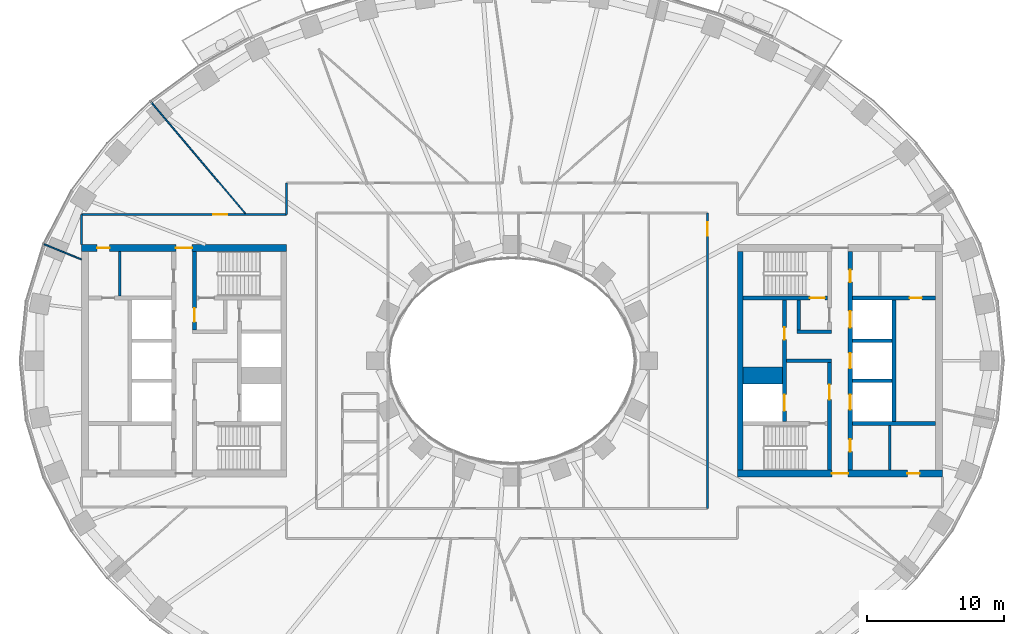
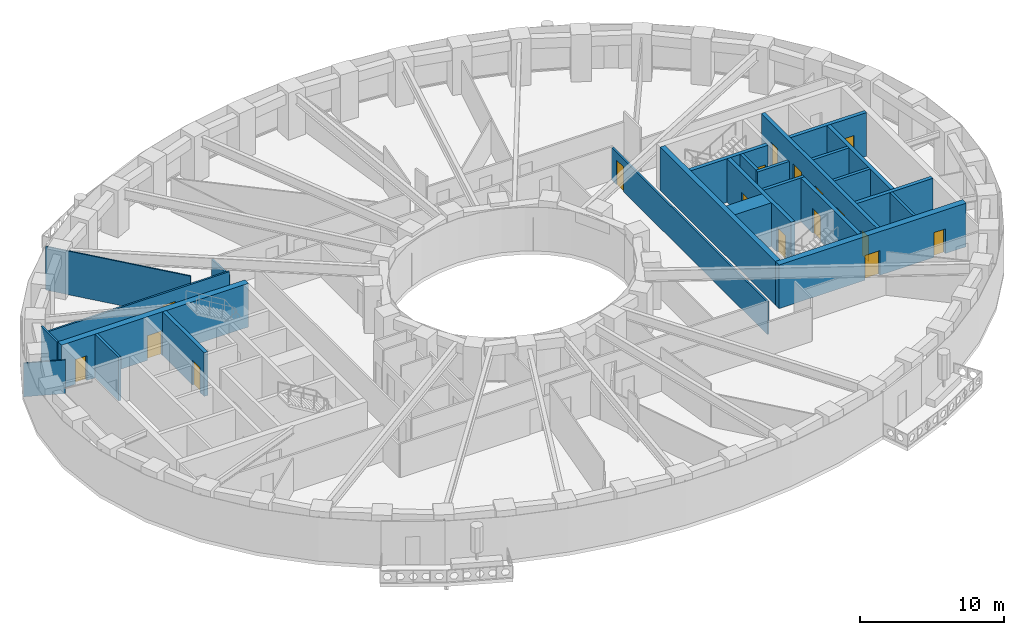
# One storey, part 5 of 15: 25 walls, 17 doors, 17 openings.
"""IFC4 building model written with IfcOpenShell, lengths in metres."""

from ifc_helpers import new_model, si_unit, direction, frame, frame_2d, origin, place, context, subcontext, project, spatial, rectangle, extrude, material, layer, layer_set, type_object, element, fill, save


model = new_model("IFC4")

# Units and contexts
model_context = context("Model", 3, precision=1e-05, world=origin(), true_north=direction((0.0, 1.0)))
body_context = subcontext(model_context, "Body", "Model", "MODEL_VIEW")
ifc_project = project(units=[si_unit("LENGTHUNIT", "METRE"), si_unit("AREAUNIT", "SQUARE_METRE"), si_unit("VOLUMEUNIT", "CUBIC_METRE"), si_unit("PLANEANGLEUNIT", "RADIAN"), si_unit("MASSUNIT", "GRAM", prefix="KILO")], contexts=[model_context])

# Site, building, storey
site_placement = place(None, origin())
site = spatial("IfcSite", under=ifc_project, at=site_placement, CompositionType="ELEMENT")
building_placement = place(site_placement, origin())
building = spatial("IfcBuilding", under=site, at=building_placement, Name="Noorbagh Ring Tower", CompositionType="ELEMENT")
storey_placement = place(building_placement, frame((0.0, 0.0, 62.5)))
storey = spatial("IfcBuildingStorey", under=building, at=storey_placement, Name="L13", CompositionType="ELEMENT", Elevation=62.5)

# Walls
ifc_material_1 = material(Name="Gypsum board on steel studs", Category="steel")
ifc_layer_1 = layer(ifc_material_1, 0.199951171875)
ifc_layer_set_1 = layer_set([ifc_layer_1], Name="Gypsum board on steel studs")
wall_type_1 = type_object("IfcWallType", Name="CORE-PARTITION-200", PredefinedType="PARTITIONING", material=ifc_layer_set_1)
for number, where, z_axis, x_axis, name in (
    (1, (-28.699951171875, 4.75, 0.0), (0.0, 0.0, 1.0), (0.0, 1.0, 0.0), "Core partition W"),
    (2, (27.64990234375, -8.0, 0.0), (0.0, 0.0, 1.0), (0.0, 1.0, 0.0), "Core partition E"),
):
    element("IfcWall", number, at=place(storey_placement, frame(where, z_axis=z_axis, x_axis=x_axis)), inside=storey, type_object=wall_type_1, Name=name, PredefinedType="PARTITIONING", context=body_context, shape_type="SweptSolid", body=[
        extrude(rectangle(XDim=3.25, YDim=0.199951171875, at=frame_2d((1.625, 0.0))), origin(), (0.0, 0.0, 1.0), 3.699951171875),
    ])
ifc_material_2 = material(Name="Concrete C70/85", Category="concrete")
ifc_layer_2 = layer(ifc_material_2, 1.25)
ifc_layer_set_2 = layer_set([ifc_layer_2], Name="Concrete C70/85")
wall_type_2 = type_object("IfcWallType", Name="CORE-WALL-1250-C70-85-EI120", PredefinedType="SHEAR", material=ifc_layer_set_2)
wall_1_placement = place(storey_placement, frame((16.89990234375, -1.074951171875, 0.0), z_axis=(0.0, 0.0, 1.0), x_axis=(1.0, 0.0, 0.0)))
element("IfcWall", 3, at=wall_1_placement, inside=storey, type_object=wall_type_2, Name="Core wall E", PredefinedType="SHEAR", context=body_context, shape_type="SweptSolid", body=[
    extrude(rectangle(XDim=2.900146484375, YDim=1.25, at=frame_2d((1.4501953125, 0.0))), origin(), (0.0, 0.0, 1.0), 3.699951171875),
])
ifc_material_3 = material(Name="Concrete C70/85", Category="concrete")
ifc_layer_3 = layer(ifc_material_3, 0.25)
ifc_layer_set_3 = layer_set([ifc_layer_3], Name="Concrete C70/85")
wall_type_3 = type_object("IfcWallType", Name="CORE-WALL-250-C70-85-EI120", PredefinedType="SHEAR", material=ifc_layer_set_3)
for number, where, z_axis, x_axis, name in (
    (4, (24.89990234375, -1.47509765625, 0.0), (0.0, 0.0, 1.0), (1.0, 0.0, 0.0), "Core wall E"),
    (5, (24.89990234375, 1.47509765625, 0.0), (0.0, 0.0, 1.0), (1.0, 0.0, 0.0), "Core wall E"),
):
    element("IfcWall", number, at=place(storey_placement, frame(where, z_axis=z_axis, x_axis=x_axis)), inside=storey, type_object=wall_type_3, Name=name, PredefinedType="SHEAR", context=body_context, shape_type="SweptSolid", body=[
        extrude(rectangle(XDim=2.900146484375, YDim=0.25, at=frame_2d((1.4501953125, 0.0))), origin(), (0.0, 0.0, 1.0), 3.699951171875),
    ])
ifc_material_4 = material(Name="Concrete C70/85", Category="concrete")
ifc_layer_4 = layer(ifc_material_4, 0.25)
ifc_layer_set_4 = layer_set([ifc_layer_4], Name="Concrete C70/85")
wall_type_4 = type_object("IfcWallType", Name="CORE-WALL-250-C70-85-EI240", PredefinedType="SHEAR", material=ifc_layer_set_4)
wall_2_placement = place(storey_placement, frame((20.10009765625, 0.0, 0.0), z_axis=(0.0, 0.0, 1.0), x_axis=(1.0, 0.0, 0.0)))
element("IfcWall", 6, at=wall_2_placement, inside=storey, type_object=wall_type_4, Name="Core wall E", PredefinedType="SHEAR", context=body_context, shape_type="SweptSolid", body=[
    extrude(rectangle(XDim=3.27978515625, YDim=0.25, at=frame_2d((1.639892578125, 0.0))), origin(), (0.0, 0.0, 1.0), 3.699951171875),
])
wall_3_placement = place(storey_placement, frame((20.85009765625, 2.125, 0.0), z_axis=(0.0, 0.0, 1.0), x_axis=(1.0, 0.0, 0.0)))
element("IfcWall", 7, at=wall_3_placement, inside=storey, type_object=wall_type_4, Name="Core wall E", PredefinedType="SHEAR", context=body_context, shape_type="SweptSolid", body=[
    extrude(rectangle(XDim=2.52978515625, YDim=0.25, at=frame_2d((1.264892578125, 0.0))), origin(), (0.0, 0.0, 1.0), 3.699951171875),
])
wall_4_placement = place(storey_placement, frame((20.97509765625, 2.25, 0.0), z_axis=(0.0, 0.0, 1.0), x_axis=(0.0, 1.0, 0.0)))
element("IfcWall", 8, at=wall_4_placement, inside=storey, type_object=wall_type_4, Name="Core wall E", PredefinedType="SHEAR", context=body_context, shape_type="SweptSolid", body=[
    extrude(rectangle(XDim=2.199951171875, YDim=0.25, at=frame_2d((1.10009765625, 0.0))), origin(), (0.0, 0.0, 1.0), 3.699951171875),
])
ifc_material_5 = material(Name="Concrete C70/85", Category="concrete")
ifc_layer_5 = layer(ifc_material_5, 0.300048828125)
ifc_layer_set_5 = layer_set([ifc_layer_5], Name="Concrete C70/85")
wall_type_5 = type_object("IfcWallType", Name="CORE-WALL-300-C70-85-EI120", PredefinedType="SHEAR", material=ifc_layer_set_5)
wall_5_placement = place(storey_placement, frame((27.949951171875, -4.449951171875, 0.0), z_axis=(0.0, 0.0, 1.0), x_axis=(0.0, 1.0, 0.0)))
element("IfcWall", 9, at=wall_5_placement, inside=storey, type_object=wall_type_5, Name="Core wall E", PredefinedType="SHEAR", context=body_context, shape_type="SweptSolid", body=[
    extrude(rectangle(XDim=8.89990234375, YDim=0.300048828125, at=frame_2d((4.449951171875, 0.0))), origin(), (0.0, 0.0, 1.0), 3.699951171875),
])

# Wall, openings, doors
wall_6_placement = place(storey_placement, frame((19.949951171875, -4.449951171875, 0.0), z_axis=(0.0, 0.0, 1.0), x_axis=(0.0, 1.0, 0.0)))
wall_6 = element("IfcWall", 10, at=wall_6_placement, inside=storey, type_object=wall_type_5, Name="Core wall E", PredefinedType="SHEAR", context=body_context, shape_type="SweptSolid", body=[
    extrude(rectangle(XDim=8.89990234375, YDim=0.300048828125, at=frame_2d((4.449951171875, 0.0))), origin(), (0.0, 0.0, 1.0), 3.699951171875),
])
opening_1_placement = place(wall_6_placement, frame((0.77490234375, 0.0, 0.0)))
opening_1 = element("IfcOpeningElement", 11, at=opening_1_placement, cuts=wall_6, Name="Opening L13-CE01", PredefinedType="OPENING", context=body_context, shape_type="SweptSolid", body=[
    extrude(rectangle(XDim=1.199951171875, YDim=2.10009765625, at=frame_2d((0.60009765625, 1.050048828125))), frame((0.0, 0.16015625, 0.0), z_axis=(0.0, -1.0, 0.0), x_axis=(1.0, 0.0, 0.0)), (0.0, 0.0, 1.0), 0.320068359375),
])
opening_2_placement = place(wall_6_placement, frame((6.0, 0.0, 0.0)))
opening_2 = element("IfcOpeningElement", 12, at=opening_2_placement, cuts=wall_6, Name="Opening L13-CE11", PredefinedType="OPENING", context=body_context, shape_type="SweptSolid", body=[
    extrude(rectangle(XDim=0.89990234375, YDim=2.10009765625, at=frame_2d((0.449951171875, 1.050048828125))), frame((0.0, 0.16015625, 0.0), z_axis=(0.0, -1.0, 0.0), x_axis=(1.0, 0.0, 0.0)), (0.0, 0.0, 1.0), 0.320068359375),
])
ifc_material_6 = material(Name="Steel door leaf", Category="steel")
door_type_1 = type_object("IfcDoorType", Name="CORE-DOOR-DROOM", OperationType="SINGLE_SWING_LEFT", PredefinedType="DOOR", material=ifc_material_6)
door_1_placement = place(opening_2_placement, origin())
door_1 = element("IfcDoor", 13, at=door_1_placement, inside=storey, type_object=door_type_1, Name="Core room door L13-CE11", OperationType="SINGLE_SWING_RIGHT", OverallHeight=2.10009765625, OverallWidth=0.89990234375, PredefinedType="DOOR", context=body_context, shape_type="SweptSolid", body=[
    extrude(rectangle(XDim=0.89990234375, YDim=2.10009765625, at=frame_2d((0.449951171875, 1.050048828125))), frame((0.0, 0.02490234375, 0.0), z_axis=(0.0, -1.0, 0.0), x_axis=(1.0, 0.0, 0.0)), (0.0, 0.0, 1.0), 0.050048828125),
])
fill(opening_2, door_1)
ifc_material_7 = material(Name="Steel door leaf", Category="steel")
door_type_2 = type_object("IfcDoorType", Name="CORE-DOOR-LDW", OperationType="DOUBLE_DOOR_SLIDING", PredefinedType="DOOR", material=ifc_material_7)
door_2_placement = place(opening_1_placement, origin())
door_2 = element("IfcDoor", 14, at=door_2_placement, inside=storey, type_object=door_type_2, Name="Landing door FF2 L13-CE01", OperationType="DOUBLE_DOOR_SLIDING", OverallHeight=2.10009765625, OverallWidth=1.199951171875, PredefinedType="DOOR", context=body_context, shape_type="SweptSolid", body=[
    extrude(rectangle(XDim=1.199951171875, YDim=2.10009765625, at=frame_2d((0.60009765625, 1.050048828125))), frame((0.0, 0.02490234375, 0.0), z_axis=(0.0, -1.0, 0.0), x_axis=(1.0, 0.0, 0.0)), (0.0, 0.0, 1.0), 0.050048828125),
])
fill(opening_1, door_2)

wall_7_placement = place(storey_placement, frame((24.75, -8.0, 0.0), z_axis=(0.0, 0.0, 1.0), x_axis=(0.0, 1.0, 0.0)))
wall_7 = element("IfcWall", 15, at=wall_7_placement, inside=storey, type_object=wall_type_5, Name="Core wall E", PredefinedType="SHEAR", context=body_context, shape_type="SweptSolid", body=[
    extrude(rectangle(XDim=16.0, YDim=0.300048828125, at=frame_2d((8.0, 0.0))), origin(), (0.0, 0.0, 1.0), 3.699951171875),
])
opening_3_placement = place(wall_7_placement, frame((4.425048828125, 0.0, 0.0)))
opening_3 = element("IfcOpeningElement", 16, at=opening_3_placement, cuts=wall_7, Name="Opening L13-CE02", PredefinedType="OPENING", context=body_context, shape_type="SweptSolid", body=[
    extrude(rectangle(XDim=1.10009765625, YDim=2.10009765625, at=frame_2d((0.550048828125, 1.050048828125))), frame((0.0, 0.16015625, 0.0), z_axis=(0.0, -1.0, 0.0), x_axis=(1.0, 0.0, 0.0)), (0.0, 0.0, 1.0), 0.320068359375),
])
opening_4_placement = place(wall_7_placement, frame((7.449951171875, 0.0, 0.0)))
opening_4 = element("IfcOpeningElement", 17, at=opening_4_placement, cuts=wall_7, Name="Opening L13-CE03", PredefinedType="OPENING", context=body_context, shape_type="SweptSolid", body=[
    extrude(rectangle(XDim=1.10009765625, YDim=2.10009765625, at=frame_2d((0.550048828125, 1.050048828125))), frame((0.0, 0.16015625, 0.0), z_axis=(0.0, -1.0, 0.0), x_axis=(1.0, 0.0, 0.0)), (0.0, 0.0, 1.0), 0.320068359375),
])
opening_5_placement = place(wall_7_placement, frame((10.425048828125, 0.0, 0.0)))
opening_5 = element("IfcOpeningElement", 18, at=opening_5_placement, cuts=wall_7, Name="Opening L13-CE04", PredefinedType="OPENING", context=body_context, shape_type="SweptSolid", body=[
    extrude(rectangle(XDim=1.199951171875, YDim=2.10009765625, at=frame_2d((0.60009765625, 1.050048828125))), frame((0.0, 0.16015625, 0.0), z_axis=(0.0, -1.0, 0.0), x_axis=(1.0, 0.0, 0.0)), (0.0, 0.0, 1.0), 0.320068359375),
])
opening_6_placement = place(wall_7_placement, frame((13.75, 0.0, 0.0)))
opening_6 = element("IfcOpeningElement", 19, at=opening_6_placement, cuts=wall_7, Name="Opening L13-CE12", PredefinedType="OPENING", context=body_context, shape_type="SweptSolid", body=[
    extrude(rectangle(XDim=0.89990234375, YDim=2.10009765625, at=frame_2d((0.449951171875, 1.050048828125))), frame((0.0, 0.16015625, 0.0), z_axis=(0.0, -1.0, 0.0), x_axis=(1.0, 0.0, 0.0)), (0.0, 0.0, 1.0), 0.320068359375),
])
opening_7_placement = place(wall_7_placement, frame((1.35009765625, 0.0, 0.0)))
opening_7 = element("IfcOpeningElement", 20, at=opening_7_placement, cuts=wall_7, Name="Opening L13-CE14", PredefinedType="OPENING", context=body_context, shape_type="SweptSolid", body=[
    extrude(rectangle(XDim=0.89990234375, YDim=2.10009765625, at=frame_2d((0.449951171875, 1.050048828125))), frame((0.0, 0.16015625, 0.0), z_axis=(0.0, -1.0, 0.0), x_axis=(1.0, 0.0, 0.0)), (0.0, 0.0, 1.0), 0.320068359375),
])
door_3_placement = place(opening_6_placement, origin())
door_3 = element("IfcDoor", 21, at=door_3_placement, inside=storey, type_object=door_type_1, Name="Core room door L13-CE12", OperationType="SINGLE_SWING_LEFT", OverallHeight=2.10009765625, OverallWidth=0.89990234375, PredefinedType="DOOR", context=body_context, shape_type="SweptSolid", body=[
    extrude(rectangle(XDim=0.89990234375, YDim=2.10009765625, at=frame_2d((0.449951171875, 1.050048828125))), frame((0.0, 0.02490234375, 0.0), z_axis=(0.0, -1.0, 0.0), x_axis=(1.0, 0.0, 0.0)), (0.0, 0.0, 1.0), 0.050048828125),
])
fill(opening_6, door_3)
door_4_placement = place(opening_7_placement, origin())
door_4 = element("IfcDoor", 22, at=door_4_placement, inside=storey, type_object=door_type_1, Name="Core room door L13-CE14", OperationType="SINGLE_SWING_RIGHT", OverallHeight=2.10009765625, OverallWidth=0.89990234375, PredefinedType="DOOR", context=body_context, shape_type="SweptSolid", body=[
    extrude(rectangle(XDim=0.89990234375, YDim=2.10009765625, at=frame_2d((0.449951171875, 1.050048828125))), frame((0.0, 0.02490234375, 0.0), z_axis=(0.0, -1.0, 0.0), x_axis=(1.0, 0.0, 0.0)), (0.0, 0.0, 1.0), 0.050048828125),
])
fill(opening_7, door_4)
ifc_material_8 = material(Name="Steel door leaf", Category="steel")
door_type_3 = type_object("IfcDoorType", Name="CORE-DOOR-LD", OperationType="DOUBLE_DOOR_SLIDING", PredefinedType="DOOR", material=ifc_material_8)
door_5_placement = place(opening_3_placement, origin())
door_5 = element("IfcDoor", 23, at=door_5_placement, inside=storey, type_object=door_type_3, Name="Landing door LR3 L13-CE02", OperationType="DOUBLE_DOOR_SLIDING", OverallHeight=2.10009765625, OverallWidth=1.10009765625, PredefinedType="DOOR", context=body_context, shape_type="SweptSolid", body=[
    extrude(rectangle(XDim=1.10009765625, YDim=2.10009765625, at=frame_2d((0.550048828125, 1.050048828125))), frame((0.0, 0.02490234375, 0.0), z_axis=(0.0, -1.0, 0.0), x_axis=(1.0, 0.0, 0.0)), (0.0, 0.0, 1.0), 0.050048828125),
])
fill(opening_3, door_5)
door_6_placement = place(opening_4_placement, origin())
door_6 = element("IfcDoor", 24, at=door_6_placement, inside=storey, type_object=door_type_3, Name="Landing door LR4 L13-CE03", OperationType="DOUBLE_DOOR_SLIDING", OverallHeight=2.10009765625, OverallWidth=1.10009765625, PredefinedType="DOOR", context=body_context, shape_type="SweptSolid", body=[
    extrude(rectangle(XDim=1.10009765625, YDim=2.10009765625, at=frame_2d((0.550048828125, 1.050048828125))), frame((0.0, 0.02490234375, 0.0), z_axis=(0.0, -1.0, 0.0), x_axis=(1.0, 0.0, 0.0)), (0.0, 0.0, 1.0), 0.050048828125),
])
fill(opening_4, door_6)
door_7_placement = place(opening_5_placement, origin())
door_7 = element("IfcDoor", 25, at=door_7_placement, inside=storey, type_object=door_type_2, Name="Landing door SV2 L13-CE04", OperationType="DOUBLE_DOOR_SLIDING", OverallHeight=2.10009765625, OverallWidth=1.199951171875, PredefinedType="DOOR", context=body_context, shape_type="SweptSolid", body=[
    extrude(rectangle(XDim=1.199951171875, YDim=2.10009765625, at=frame_2d((0.60009765625, 1.050048828125))), frame((0.0, 0.02490234375, 0.0), z_axis=(0.0, -1.0, 0.0), x_axis=(1.0, 0.0, 0.0)), (0.0, 0.0, 1.0), 0.050048828125),
])
fill(opening_5, door_7)

# Wall, opening, door
ifc_material_9 = material(Name="Concrete C70/85", Category="concrete")
ifc_layer_6 = layer(ifc_material_9, 0.300048828125)
ifc_layer_set_6 = layer_set([ifc_layer_6], Name="Concrete C70/85")
wall_type_6 = type_object("IfcWallType", Name="CORE-WALL-300-C70-85-EI240", PredefinedType="SHEAR", material=ifc_layer_set_6)
wall_8_placement = place(storey_placement, frame((-23.22998046875, 2.25, 0.0), z_axis=(0.0, 0.0, 1.0), x_axis=(0.0, 1.0, 0.0)))
wall_8 = element("IfcWall", 26, at=wall_8_placement, inside=storey, type_object=wall_type_6, Name="Core wall W", PredefinedType="SHEAR", context=body_context, shape_type="SweptSolid", body=[
    extrude(rectangle(XDim=5.75, YDim=0.300048828125, at=frame_2d((2.875, 0.0))), origin(), (0.0, 0.0, 1.0), 3.699951171875),
])
opening_8_placement = place(wall_8_placement, frame((0.60009765625, 0.0, 0.0)))
opening_8 = element("IfcOpeningElement", 27, at=opening_8_placement, cuts=wall_8, Name="Opening L13-CW08", PredefinedType="OPENING", context=body_context, shape_type="SweptSolid", body=[
    extrude(rectangle(XDim=1.0, YDim=2.10009765625, at=frame_2d((0.5, 1.050048828125))), frame((0.0, 0.16015625, 0.0), z_axis=(0.0, -1.0, 0.0), x_axis=(1.0, 0.0, 0.0)), (0.0, 0.0, 1.0), 0.320068359375),
])
ifc_material_10 = material(Name="Steel door leaf", Category="steel")
door_type_4 = type_object("IfcDoorType", Name="CORE-DOOR-DVEST", OperationType="SINGLE_SWING_LEFT", PredefinedType="DOOR", material=ifc_material_10)
door_8_placement = place(opening_8_placement, origin())
door_8 = element("IfcDoor", 28, at=door_8_placement, inside=storey, type_object=door_type_4, Name="Stair vestibule door L13-CW08", OperationType="SINGLE_SWING_LEFT", OverallHeight=2.10009765625, OverallWidth=1.0, PredefinedType="DOOR", context=body_context, shape_type="SweptSolid", body=[
    extrude(rectangle(XDim=1.0, YDim=2.10009765625, at=frame_2d((0.5, 1.050048828125))), frame((0.0, 0.02490234375, 0.0), z_axis=(0.0, -1.0, 0.0), x_axis=(1.0, 0.0, 0.0)), (0.0, 0.0, 1.0), 0.050048828125),
])
fill(opening_8, door_8)

wall_9_placement = place(storey_placement, frame((24.89990234375, 4.60009765625, 0.0), z_axis=(0.0, 0.0, 1.0), x_axis=(1.0, 0.0, 0.0)))
wall_9 = element("IfcWall", 29, at=wall_9_placement, inside=storey, type_object=wall_type_6, Name="Core wall E", PredefinedType="SHEAR", context=body_context, shape_type="SweptSolid", body=[
    extrude(rectangle(XDim=6.10009765625, YDim=0.300048828125, at=frame_2d((3.050048828125, 0.0))), origin(), (0.0, 0.0, 1.0), 3.699951171875),
])
opening_9_placement = place(wall_9_placement, frame((4.199951171875, 0.0, 0.0)))
opening_9 = element("IfcOpeningElement", 30, at=opening_9_placement, cuts=wall_9, Name="Opening L13-CE16", PredefinedType="OPENING", context=body_context, shape_type="SweptSolid", body=[
    extrude(rectangle(XDim=0.89990234375, YDim=2.10009765625, at=frame_2d((0.449951171875, 1.050048828125))), frame((0.0, 0.16015625, 0.0), z_axis=(0.0, -1.0, 0.0), x_axis=(1.0, 0.0, 0.0)), (0.0, 0.0, 1.0), 0.320068359375),
])
door_9_placement = place(opening_9_placement, origin())
door_9 = element("IfcDoor", 31, at=door_9_placement, inside=storey, type_object=door_type_1, Name="Core room door L13-CE16", OperationType="SINGLE_SWING_RIGHT", OverallHeight=2.10009765625, OverallWidth=0.89990234375, PredefinedType="DOOR", context=body_context, shape_type="SweptSolid", body=[
    extrude(rectangle(XDim=0.89990234375, YDim=2.10009765625, at=frame_2d((0.449951171875, 1.050048828125))), frame((0.0, 0.02490234375, 0.0), z_axis=(0.0, -1.0, 0.0), x_axis=(1.0, 0.0, 0.0)), (0.0, 0.0, 1.0), 0.050048828125),
])
fill(opening_9, door_9)

# Wall
wall_10_placement = place(storey_placement, frame((24.89990234375, -4.60009765625, 0.0), z_axis=(0.0, 0.0, 1.0), x_axis=(1.0, 0.0, 0.0)))
element("IfcWall", 32, at=wall_10_placement, inside=storey, type_object=wall_type_6, Name="Core wall E", PredefinedType="SHEAR", context=body_context, shape_type="SweptSolid", body=[
    extrude(rectangle(XDim=6.10009765625, YDim=0.300048828125, at=frame_2d((3.050048828125, 0.0))), origin(), (0.0, 0.0, 1.0), 3.699951171875),
])

# Wall, opening, door
wall_11_placement = place(storey_placement, frame((23.22998046875, -8.0, 0.0), z_axis=(0.0, 0.0, 1.0), x_axis=(0.0, 1.0, 0.0)))
wall_11 = element("IfcWall", 33, at=wall_11_placement, inside=storey, type_object=wall_type_6, Name="Core wall E", PredefinedType="SHEAR", context=body_context, shape_type="SweptSolid", body=[
    extrude(rectangle(XDim=7.875, YDim=0.300048828125, at=frame_2d((3.9375, 0.0))), origin(), (0.0, 0.0, 1.0), 3.699951171875),
])
opening_10_placement = place(wall_11_placement, frame((5.14990234375, 0.0, 0.0)))
opening_10 = element("IfcOpeningElement", 34, at=opening_10_placement, cuts=wall_11, Name="Opening L13-CE07", PredefinedType="OPENING", context=body_context, shape_type="SweptSolid", body=[
    extrude(rectangle(XDim=1.10009765625, YDim=2.10009765625, at=frame_2d((0.550048828125, 1.050048828125))), frame((0.0, 0.16015625, 0.0), z_axis=(0.0, -1.0, 0.0), x_axis=(1.0, 0.0, 0.0)), (0.0, 0.0, 1.0), 0.320068359375),
])
ifc_material_11 = material(Name="Steel door leaf", Category="steel")
door_type_5 = type_object("IfcDoorType", Name="CORE-DOOR-DFF", OperationType="SINGLE_SWING_LEFT", PredefinedType="DOOR", material=ifc_material_11)
door_10_placement = place(opening_10_placement, origin())
door_10 = element("IfcDoor", 35, at=door_10_placement, inside=storey, type_object=door_type_5, Name="Firefighting lobby door L13-CE07", OperationType="SINGLE_SWING_RIGHT", OverallHeight=2.10009765625, OverallWidth=1.10009765625, PredefinedType="DOOR", context=body_context, shape_type="SweptSolid", body=[
    extrude(rectangle(XDim=1.10009765625, YDim=2.10009765625, at=frame_2d((0.550048828125, 1.050048828125))), frame((0.0, 0.02490234375, 0.0), z_axis=(0.0, -1.0, 0.0), x_axis=(1.0, 0.0, 0.0)), (0.0, 0.0, 1.0), 0.050048828125),
])
fill(opening_10, door_10)

wall_12_placement = place(storey_placement, frame((16.89990234375, 4.60009765625, 0.0), z_axis=(0.0, 0.0, 1.0), x_axis=(1.0, 0.0, 0.0)))
wall_12 = element("IfcWall", 36, at=wall_12_placement, inside=storey, type_object=wall_type_6, Name="Core wall E", PredefinedType="SHEAR", context=body_context, shape_type="SweptSolid", body=[
    extrude(rectangle(XDim=6.18017578125, YDim=0.300048828125, at=frame_2d((3.090087890625, 0.0))), origin(), (0.0, 0.0, 1.0), 3.699951171875),
])
opening_11_placement = place(wall_12_placement, frame((4.89990234375, 0.0, 0.0)))
opening_11 = element("IfcOpeningElement", 37, at=opening_11_placement, cuts=wall_12, Name="Opening L13-CE05", PredefinedType="OPENING", context=body_context, shape_type="SweptSolid", body=[
    extrude(rectangle(XDim=1.10009765625, YDim=2.10009765625, at=frame_2d((0.550048828125, 1.050048828125))), frame((0.0, 0.16015625, 0.0), z_axis=(0.0, -1.0, 0.0), x_axis=(1.0, 0.0, 0.0)), (0.0, 0.0, 1.0), 0.320068359375),
])
ifc_material_12 = material(Name="Steel door leaf", Category="steel")
door_type_6 = type_object("IfcDoorType", Name="CORE-DOOR-DSTAIR", OperationType="SINGLE_SWING_LEFT", PredefinedType="DOOR", material=ifc_material_12)
door_11_placement = place(opening_11_placement, origin())
door_11 = element("IfcDoor", 38, at=door_11_placement, inside=storey, type_object=door_type_6, Name="Stair door ST3 L13-CE05", OperationType="SINGLE_SWING_LEFT", OverallHeight=2.10009765625, OverallWidth=1.10009765625, PredefinedType="DOOR", context=body_context, shape_type="SweptSolid", body=[
    extrude(rectangle(XDim=1.10009765625, YDim=2.10009765625, at=frame_2d((0.550048828125, 1.050048828125))), frame((0.0, 0.02490234375, 0.0), z_axis=(0.0, -1.0, 0.0), x_axis=(1.0, 0.0, 0.0)), (0.0, 0.0, 1.0), 0.050048828125),
])
fill(opening_11, door_11)

# Wall
ifc_material_13 = material(Name="Concrete C70/85", Category="concrete")
ifc_layer_7 = layer(ifc_material_13, 0.39990234375)
ifc_layer_set_7 = layer_set([ifc_layer_7], Name="Concrete C70/85")
wall_type_7 = type_object("IfcWallType", Name="CORE-WALL-400-C70-85-EI240", PredefinedType="SHEAR", material=ifc_layer_set_7)
wall_13_placement = place(storey_placement, frame((16.699951171875, -8.0, 0.0), z_axis=(0.0, 0.0, 1.0), x_axis=(0.0, 1.0, 0.0)))
element("IfcWall", 39, at=wall_13_placement, inside=storey, type_object=wall_type_7, Name="Core wall E", PredefinedType="SHEAR", context=body_context, shape_type="SweptSolid", body=[
    extrude(rectangle(XDim=16.0, YDim=0.39990234375, at=frame_2d((8.0, 0.0))), origin(), (0.0, 0.0, 1.0), 3.699951171875),
])

# Wall, openings, doors
ifc_material_14 = material(Name="Concrete C70/85", Category="concrete")
ifc_layer_8 = layer(ifc_material_14, 0.5)
ifc_layer_set_8 = layer_set([ifc_layer_8], Name="Concrete C70/85")
wall_type_8 = type_object("IfcWallType", Name="CORE-WALL-500-C70-85-EI240", PredefinedType="SHEAR", material=ifc_layer_set_8)
wall_14_placement = place(storey_placement, frame((-16.5, 8.25, 0.0), z_axis=(0.0, 0.0, 1.0), x_axis=(-1.0, 0.0, 0.0)))
wall_14 = element("IfcWall", 40, at=wall_14_placement, inside=storey, type_object=wall_type_8, Name="Core wall W", PredefinedType="SHEAR", context=body_context, shape_type="SweptSolid", body=[
    extrude(rectangle(XDim=15.0, YDim=0.5, at=frame_2d((7.5, 0.0))), origin(), (0.0, 0.0, 1.0), 3.699951171875),
])
opening_12_placement = place(wall_14_placement, frame((6.89990234375, 0.0, 0.0)))
opening_12 = element("IfcOpeningElement", 41, at=opening_12_placement, cuts=wall_14, Name="Opening L13-CW09", PredefinedType="OPENING", context=body_context, shape_type="SweptSolid", body=[
    extrude(rectangle(XDim=1.199951171875, YDim=2.10009765625, at=frame_2d((0.60009765625, 1.050048828125))), frame((0.0, 0.260009765625, 0.0), z_axis=(0.0, -1.0, 0.0), x_axis=(1.0, 0.0, 0.0)), (0.0, 0.0, 1.0), 0.52001953125),
])
opening_13_placement = place(wall_14_placement, frame((12.949951171875, 0.0, 0.0)))
opening_13 = element("IfcOpeningElement", 42, at=opening_13_placement, cuts=wall_14, Name="Opening L13-CW13", PredefinedType="OPENING", context=body_context, shape_type="SweptSolid", body=[
    extrude(rectangle(XDim=0.89990234375, YDim=2.10009765625, at=frame_2d((0.449951171875, 1.050048828125))), frame((0.0, 0.260009765625, 0.0), z_axis=(0.0, -1.0, 0.0), x_axis=(1.0, 0.0, 0.0)), (0.0, 0.0, 1.0), 0.52001953125),
])
door_12_placement = place(opening_13_placement, origin())
door_12 = element("IfcDoor", 43, at=door_12_placement, inside=storey, type_object=door_type_1, Name="Core room door L13-CW13", OperationType="SINGLE_SWING_RIGHT", OverallHeight=2.10009765625, OverallWidth=0.89990234375, PredefinedType="DOOR", context=body_context, shape_type="SweptSolid", body=[
    extrude(rectangle(XDim=0.89990234375, YDim=2.10009765625, at=frame_2d((0.449951171875, 1.050048828125))), frame((0.0, 0.02490234375, 0.0), z_axis=(0.0, -1.0, 0.0), x_axis=(1.0, 0.0, 0.0)), (0.0, 0.0, 1.0), 0.050048828125),
])
fill(opening_13, door_12)
ifc_material_15 = material(Name="Steel door leaf", Category="steel")
door_type_7 = type_object("IfcDoorType", Name="CORE-DOOR-PORT", OperationType="DOUBLE_DOOR_DOUBLE_SWING", PredefinedType="DOOR", material=ifc_material_15)
door_13_placement = place(opening_12_placement, origin())
door_13 = element("IfcDoor", 44, at=door_13_placement, inside=storey, type_object=door_type_7, Name="Core entrance door L13-CW09", OperationType="DOUBLE_DOOR_DOUBLE_SWING", OverallHeight=2.10009765625, OverallWidth=1.199951171875, PredefinedType="DOOR", context=body_context, shape_type="SweptSolid", body=[
    extrude(rectangle(XDim=1.199951171875, YDim=2.10009765625, at=frame_2d((0.60009765625, 1.050048828125))), frame((0.0, 0.02490234375, 0.0), z_axis=(0.0, -1.0, 0.0), x_axis=(1.0, 0.0, 0.0)), (0.0, 0.0, 1.0), 0.050048828125),
])
fill(opening_12, door_13)

wall_15_placement = place(storey_placement, frame((16.5, -8.25, 0.0), z_axis=(0.0, 0.0, 1.0), x_axis=(1.0, 0.0, 0.0)))
wall_15 = element("IfcWall", 45, at=wall_15_placement, inside=storey, type_object=wall_type_8, Name="Core wall E", PredefinedType="SHEAR", context=body_context, shape_type="SweptSolid", body=[
    extrude(rectangle(XDim=15.0, YDim=0.5, at=frame_2d((7.5, 0.0))), origin(), (0.0, 0.0, 1.0), 3.699951171875),
])
opening_14_placement = place(wall_15_placement, frame((6.89990234375, 0.0, 0.0)))
opening_14 = element("IfcOpeningElement", 46, at=opening_14_placement, cuts=wall_15, Name="Opening L13-CE10", PredefinedType="OPENING", context=body_context, shape_type="SweptSolid", body=[
    extrude(rectangle(XDim=1.199951171875, YDim=2.10009765625, at=frame_2d((0.60009765625, 1.050048828125))), frame((0.0, 0.260009765625, 0.0), z_axis=(0.0, -1.0, 0.0), x_axis=(1.0, 0.0, 0.0)), (0.0, 0.0, 1.0), 0.52001953125),
])
opening_15_placement = place(wall_15_placement, frame((12.425048828125, 0.0, 0.0)))
opening_15 = element("IfcOpeningElement", 47, at=opening_15_placement, cuts=wall_15, Name="Opening L13-CE15", PredefinedType="OPENING", context=body_context, shape_type="SweptSolid", body=[
    extrude(rectangle(XDim=0.89990234375, YDim=2.10009765625, at=frame_2d((0.449951171875, 1.050048828125))), frame((0.0, 0.260009765625, 0.0), z_axis=(0.0, -1.0, 0.0), x_axis=(1.0, 0.0, 0.0)), (0.0, 0.0, 1.0), 0.52001953125),
])
door_14_placement = place(opening_15_placement, origin())
door_14 = element("IfcDoor", 48, at=door_14_placement, inside=storey, type_object=door_type_1, Name="Core room door L13-CE15", OperationType="SINGLE_SWING_RIGHT", OverallHeight=2.10009765625, OverallWidth=0.89990234375, PredefinedType="DOOR", context=body_context, shape_type="SweptSolid", body=[
    extrude(rectangle(XDim=0.89990234375, YDim=2.10009765625, at=frame_2d((0.449951171875, 1.050048828125))), frame((0.0, 0.02490234375, 0.0), z_axis=(0.0, -1.0, 0.0), x_axis=(1.0, 0.0, 0.0)), (0.0, 0.0, 1.0), 0.050048828125),
])
fill(opening_15, door_14)
door_15_placement = place(opening_14_placement, origin())
door_15 = element("IfcDoor", 49, at=door_15_placement, inside=storey, type_object=door_type_7, Name="Core entrance door L13-CE10", OperationType="DOUBLE_DOOR_DOUBLE_SWING", OverallHeight=2.10009765625, OverallWidth=1.199951171875, PredefinedType="DOOR", context=body_context, shape_type="SweptSolid", body=[
    extrude(rectangle(XDim=1.199951171875, YDim=2.10009765625, at=frame_2d((0.60009765625, 1.050048828125))), frame((0.0, 0.02490234375, 0.0), z_axis=(0.0, -1.0, 0.0), x_axis=(1.0, 0.0, 0.0)), (0.0, 0.0, 1.0), 0.050048828125),
])
fill(opening_14, door_15)

# Wall
ifc_material_16 = material(Name="Gypsum board on steel studs", Category="steel")
ifc_layer_9 = layer(ifc_material_16, 0.14990234375)
ifc_layer_set_9 = layer_set([ifc_layer_9], Name="Gypsum board on steel studs")
wall_type_9 = type_object("IfcWallType", Name="CORRIDOR PARTITION 150 EI 30", PredefinedType="PARTITIONING", material=ifc_layer_set_9)
wall_16_placement = place(storey_placement, frame((-31.5, 8.5, 0.0), z_axis=(0.0, 0.0, 1.0), x_axis=(0.0, 1.0, 0.0)))
element("IfcWall", 50, at=wall_16_placement, inside=storey, type_object=wall_type_9, Name="L13/wall/P04", PredefinedType="PARTITIONING", context=body_context, shape_type="SweptSolid", body=[
    extrude(rectangle(XDim=2.199951171875, YDim=0.14990234375, at=frame_2d((1.10009765625, 0.0))), origin(), (0.0, 0.0, 1.0), 3.699951171875),
])

# Wall, opening, door
wall_17_placement = place(storey_placement, frame((-31.5, 10.699951171875, 0.0), z_axis=(0.0, 0.0, 1.0), x_axis=(1.0, 0.0, 0.0)))
wall_17 = element("IfcWall", 51, at=wall_17_placement, inside=storey, type_object=wall_type_9, Name="L13/wall/P05", PredefinedType="PARTITIONING", context=body_context, shape_type="SweptSolid", body=[
    extrude(rectangle(XDim=15.0, YDim=0.14990234375, at=frame_2d((7.5, 0.0))), origin(), (0.0, 0.0, 1.0), 3.10009765625),
])
opening_16_placement = place(wall_17_placement, frame((9.655029296875, 0.0, 0.0)))
opening_16 = element("IfcOpeningElement", 52, at=opening_16_placement, cuts=wall_17, Name="Opening D1", PredefinedType="OPENING", context=body_context, shape_type="SweptSolid", body=[
    extrude(rectangle(XDim=1.0, YDim=2.10009765625, at=frame_2d((0.5, 1.050048828125))), frame((0.0, 0.0849609375, 0.0), z_axis=(0.0, -1.0, 0.0), x_axis=(1.0, 0.0, 0.0)), (0.0, 0.0, 1.0), 0.169921875),
])
ifc_material_17 = material(Name="Timber, painted", Category="wood")
door_type_8 = type_object("IfcDoorType", Name="DOOR 1000 X 2100 FD30", OperationType="SINGLE_SWING_LEFT", PredefinedType="DOOR", material=ifc_material_17)
door_16_placement = place(opening_16_placement, origin())
door_16 = element("IfcDoor", 53, at=door_16_placement, inside=storey, type_object=door_type_8, Name="L13-D07", OperationType="SINGLE_SWING_LEFT", OverallHeight=2.10009765625, OverallWidth=1.0, PredefinedType="DOOR", context=body_context, shape_type="SweptSolid", body=[
    extrude(rectangle(XDim=1.0, YDim=2.10009765625, at=frame_2d((0.5, 1.050048828125))), frame((0.0, 0.02490234375, 0.0), z_axis=(0.0, -1.0, 0.0), x_axis=(1.0, 0.0, 0.0)), (0.0, 0.0, 1.0), 0.050048828125),
])
fill(opening_16, door_16)

# Wall
wall_18_placement = place(storey_placement, frame((-16.5, 10.699951171875, 0.0), z_axis=(0.0, 0.0, 1.0), x_axis=(0.0, 1.0, 0.0)))
element("IfcWall", 54, at=wall_18_placement, inside=storey, type_object=wall_type_9, Name="L13/wall/P10", PredefinedType="PARTITIONING", context=body_context, shape_type="SweptSolid", body=[
    extrude(rectangle(XDim=2.300048828125, YDim=0.14990234375, at=frame_2d((1.14990234375, 0.0))), origin(), (0.0, 0.0, 1.0), 2.75),
])

# Wall, opening, door
wall_19_placement = place(storey_placement, frame((14.300048828125, -10.800048828125, 0.0), z_axis=(0.0, 0.0, 1.0), x_axis=(0.0, 1.0, 0.0)))
wall_19 = element("IfcWall", 55, at=wall_19_placement, inside=storey, type_object=wall_type_9, Name="L13/wall/P54", PredefinedType="PARTITIONING", context=body_context, shape_type="SweptSolid", body=[
    extrude(rectangle(XDim=21.60009765625, YDim=0.14990234375, at=frame_2d((10.800048828125, 0.0))), origin(), (0.0, 0.0, 1.0), 2.75),
])
opening_17_placement = place(wall_19_placement, frame((19.949951171875, 0.0, 0.0)))
opening_17 = element("IfcOpeningElement", 56, at=opening_17_placement, cuts=wall_19, Name="Opening D1", PredefinedType="OPENING", context=body_context, shape_type="SweptSolid", body=[
    extrude(rectangle(XDim=1.0, YDim=2.10009765625, at=frame_2d((0.5, 1.050048828125))), frame((0.0, 0.0849609375, 0.0), z_axis=(0.0, -1.0, 0.0), x_axis=(1.0, 0.0, 0.0)), (0.0, 0.0, 1.0), 0.169921875),
])
door_17_placement = place(opening_17_placement, origin())
door_17 = element("IfcDoor", 57, at=door_17_placement, inside=storey, type_object=door_type_8, Name="L13-D27", OperationType="SINGLE_SWING_LEFT", OverallHeight=2.10009765625, OverallWidth=1.0, PredefinedType="DOOR", context=body_context, shape_type="SweptSolid", body=[
    extrude(rectangle(XDim=1.0, YDim=2.10009765625, at=frame_2d((0.5, 1.050048828125))), frame((0.0, 0.02490234375, 0.0), z_axis=(0.0, -1.0, 0.0), x_axis=(1.0, 0.0, 0.0)), (0.0, 0.0, 1.0), 0.050048828125),
])
fill(opening_17, door_17)

# Walls
ifc_material_18 = material(Name="Gypsum board on steel studs", Category="steel")
ifc_layer_10 = layer(ifc_material_18, 0.10009765625)
ifc_layer_set_10 = layer_set([ifc_layer_10], Name="Gypsum board on steel studs")
wall_type_10 = type_object("IfcWallType", Name="PARTITION 100 GYPSUM", PredefinedType="PARTITIONING", material=ifc_layer_set_10)
wall_20_placement = place(storey_placement, frame((-34.23388671875, 8.530029296875, 0.0), z_axis=(0.0, 0.0, 1.0), x_axis=(0.925344112436, -0.379128307542, 0.0)))
element("IfcWall", 58, at=wall_20_placement, inside=storey, type_object=wall_type_10, Name="L13/wall/P01", PredefinedType="PARTITIONING", context=body_context, shape_type="SweptSolid", body=[
    extrude(rectangle(XDim=2.954345703125, YDim=0.10009765625, at=frame_2d((1.47705078125, 0.0))), origin(), (0.0, 0.0, 1.0), 2.85009765625),
])
wall_21_placement = place(storey_placement, frame((-26.429931640625, 18.945068359375, 0.0), z_axis=(0.0, 0.0, 1.0), x_axis=(0.646400187952, -0.762998556365, 0.0)))
element("IfcWall", 59, at=wall_21_placement, inside=storey, type_object=wall_type_10, Name="L13/wall/P07", PredefinedType="PARTITIONING", context=body_context, shape_type="SweptSolid", body=[
    extrude(rectangle(XDim=10.703857421875, YDim=0.10009765625, at=frame_2d((5.35205078125, 0.0))), origin(), (0.0, 0.0, 1.0), 3.699951171875),
])

save(model, "model.ifc")
